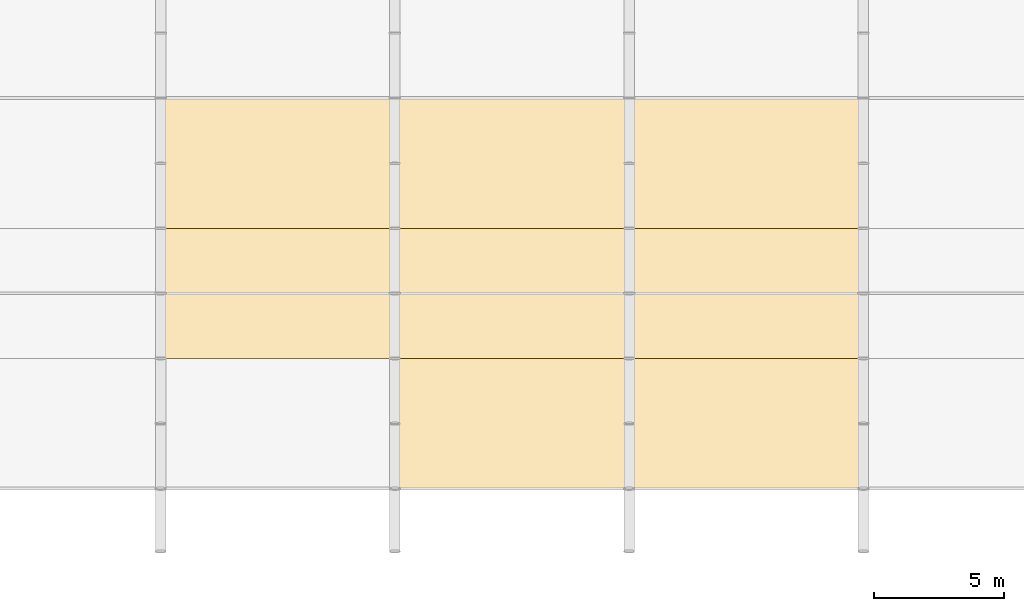
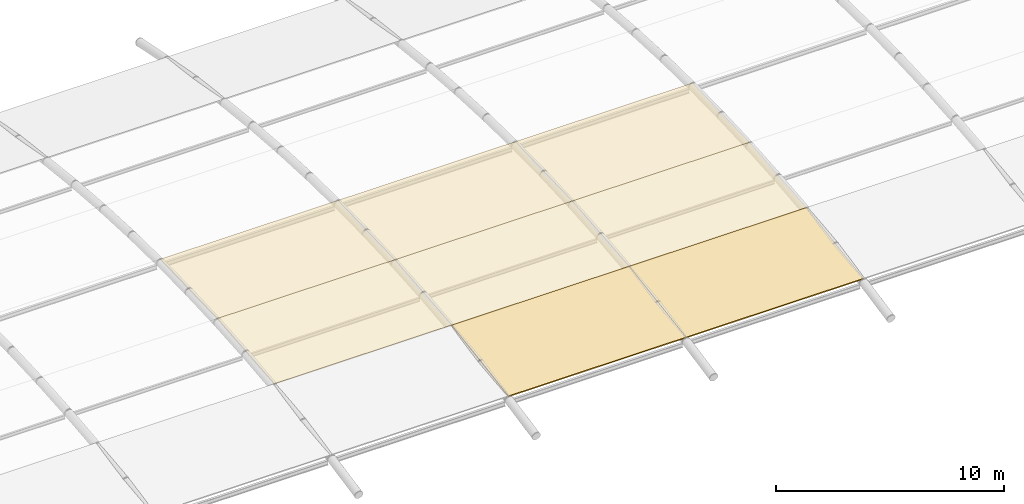
# One storey, part 100 of 105: 8 coverings.
"""IFC4 building model written with IfcOpenShell, lengths in metres."""

from ifc_helpers import new_model, si_unit, direction, frame, origin, place, context, subcontext, project, spatial, polyline, outline, extrude, material, layer, layer_set, type_object, element, save


model = new_model("IFC4")

# Units and contexts
model_context = context("Model", 3, precision=1e-05, world=origin(), true_north=direction((0.0, 1.0)))
body_context = subcontext(model_context, "Body", "Model", "MODEL_VIEW")
ifc_project = project(units=[si_unit("LENGTHUNIT", "METRE"), si_unit("AREAUNIT", "SQUARE_METRE"), si_unit("VOLUMEUNIT", "CUBIC_METRE"), si_unit("PLANEANGLEUNIT", "RADIAN"), si_unit("MASSUNIT", "GRAM", prefix="KILO")], contexts=[model_context])

# Site, building, storey
site_placement = place(None, origin())
site = spatial("IfcSite", under=ifc_project, at=site_placement, CompositionType="ELEMENT")
building_placement = place(site_placement, origin())
building = spatial("IfcBuilding", under=site, at=building_placement, Name="Marlcrest Central Station", CompositionType="ELEMENT")
storey_placement = place(building_placement, frame((0.0, 0.0, 15.0)))
storey = spatial("IfcBuildingStorey", under=building, at=storey_placement, Name="L03", CompositionType="ELEMENT", Elevation=15.0)

# Coverings
ifc_material_1 = material(Name="Standing-seam marine-coated aluminium roofing", Category="aluminium")
ifc_layer_1 = layer(ifc_material_1, 0.06494140625, Name="CV-RF2")
ifc_layer_set_1 = layer_set([ifc_layer_1], Name="Standing-seam marine-coated aluminium roofing")
covering_type_1 = type_object("IfcCoveringType", Name="CV-RF2", PredefinedType="ROOFING", material=ifc_layer_set_1)
for number, where, z_axis, x_axis, name in (
    (1, (171.0, 51.0, 0.603759765625), (0.0, -0.153293462578, 0.98818070935), (1.0, 0.0, 0.0), "cov-shed-0163"),
    (2, (180.0, 51.0, 0.603759765625), (0.0, -0.153293462578, 0.98818070935), (1.0, 0.0, 0.0), "cov-shed-0177"),
):
    element("IfcCovering", number, at=place(storey_placement, frame(where, z_axis=z_axis, x_axis=x_axis)), inside=storey, type_object=covering_type_1, Name=name, PredefinedType="ROOFING", context=body_context, shape_type="SweptSolid", body=[
        extrude(outline(polyline([(0.0, 0.0), (9.0, 0.0), (9.0, 5.059803285666958), (0.0, 5.059803285666958), (0.0, 0.0)])), origin(), (0.0, 0.0, -1.0), 0.06494140625),
    ])
ifc_material_2 = material(Name="Translucent GRP barrel crown roof panel")
ifc_layer_2 = layer(ifc_material_2, 0.054931640625, Name="CV-SK1")
ifc_layer_set_2 = layer_set([ifc_layer_2], Name="Translucent GRP barrel crown roof panel")
covering_type_2 = type_object("IfcCoveringType", Name="CV-SK1", PredefinedType="ROOFING", material=ifc_layer_set_2)
covering_1_placement = place(storey_placement, frame((162.0, 56.0, 1.37939453125), z_axis=(0.0, -0.092714165239, 0.995692765648), x_axis=(1.0, 0.0, 0.0)))
element("IfcCovering", 3, at=covering_1_placement, inside=storey, type_object=covering_type_2, Name="cov-shed-0150", PredefinedType="ROOFING", context=body_context, shape_type="SweptSolid", body=[
    extrude(outline(polyline([(0.0, 0.0), (9.0, 0.0), (9.0, 5.0216293343712435), (0.0, 5.0216293343712435), (0.0, 0.0)])), origin(), (0.0, 0.0, -1.0), 0.054931640625),
])
covering_2_placement = place(storey_placement, frame((162.0, 61.0, 1.844970703125), z_axis=(0.0, -0.030990966165, 0.999519664647), x_axis=(1.0, 0.0, 0.0)))
element("IfcCovering", 4, at=covering_2_placement, inside=storey, type_object=covering_type_2, Name="cov-shed-0151", PredefinedType="ROOFING", context=body_context, shape_type="SweptSolid", body=[
    extrude(outline(polyline([(0.0, 0.0), (9.0, 0.0), (9.0, 5.0024028309293085), (0.0, 5.0024028309293085), (0.0, 0.0)])), origin(), (0.0, 0.0, -1.0), 0.054931640625),
])
covering_3_placement = place(storey_placement, frame((171.0, 56.0, 1.37939453125), z_axis=(0.0, -0.092714165239, 0.995692765648), x_axis=(1.0, 0.0, 0.0)))
element("IfcCovering", 5, at=covering_3_placement, inside=storey, type_object=covering_type_2, Name="cov-shed-0164", PredefinedType="ROOFING", context=body_context, shape_type="SweptSolid", body=[
    extrude(outline(polyline([(0.0, 0.0), (9.0, 0.0), (9.0, 5.0216293343712435), (0.0, 5.0216293343712435), (0.0, 0.0)])), origin(), (0.0, 0.0, -1.0), 0.054931640625),
])
covering_4_placement = place(storey_placement, frame((171.0, 61.0, 1.844970703125), z_axis=(0.0, -0.030990966165, 0.999519664647), x_axis=(1.0, 0.0, 0.0)))
element("IfcCovering", 6, at=covering_4_placement, inside=storey, type_object=covering_type_2, Name="cov-shed-0165", PredefinedType="ROOFING", context=body_context, shape_type="SweptSolid", body=[
    extrude(outline(polyline([(0.0, 0.0), (9.0, 0.0), (9.0, 5.0024028309293085), (0.0, 5.0024028309293085), (0.0, 0.0)])), origin(), (0.0, 0.0, -1.0), 0.054931640625),
])
covering_5_placement = place(storey_placement, frame((180.0, 56.0, 1.37939453125), z_axis=(0.0, -0.092714165239, 0.995692765648), x_axis=(1.0, 0.0, 0.0)))
element("IfcCovering", 7, at=covering_5_placement, inside=storey, type_object=covering_type_2, Name="cov-shed-0178", PredefinedType="ROOFING", context=body_context, shape_type="SweptSolid", body=[
    extrude(outline(polyline([(0.0, 0.0), (9.0, 0.0), (9.0, 5.0216293343712435), (0.0, 5.0216293343712435), (0.0, 0.0)])), origin(), (0.0, 0.0, -1.0), 0.054931640625),
])
covering_6_placement = place(storey_placement, frame((180.0, 61.0, 1.844970703125), z_axis=(0.0, -0.030990966165, 0.999519664647), x_axis=(1.0, 0.0, 0.0)))
element("IfcCovering", 8, at=covering_6_placement, inside=storey, type_object=covering_type_2, Name="cov-shed-0179", PredefinedType="ROOFING", context=body_context, shape_type="SweptSolid", body=[
    extrude(outline(polyline([(0.0, 0.0), (9.0, 0.0), (9.0, 5.0024028309293085), (0.0, 5.0024028309293085), (0.0, 0.0)])), origin(), (0.0, 0.0, -1.0), 0.054931640625),
])

save(model, "model.ifc")
